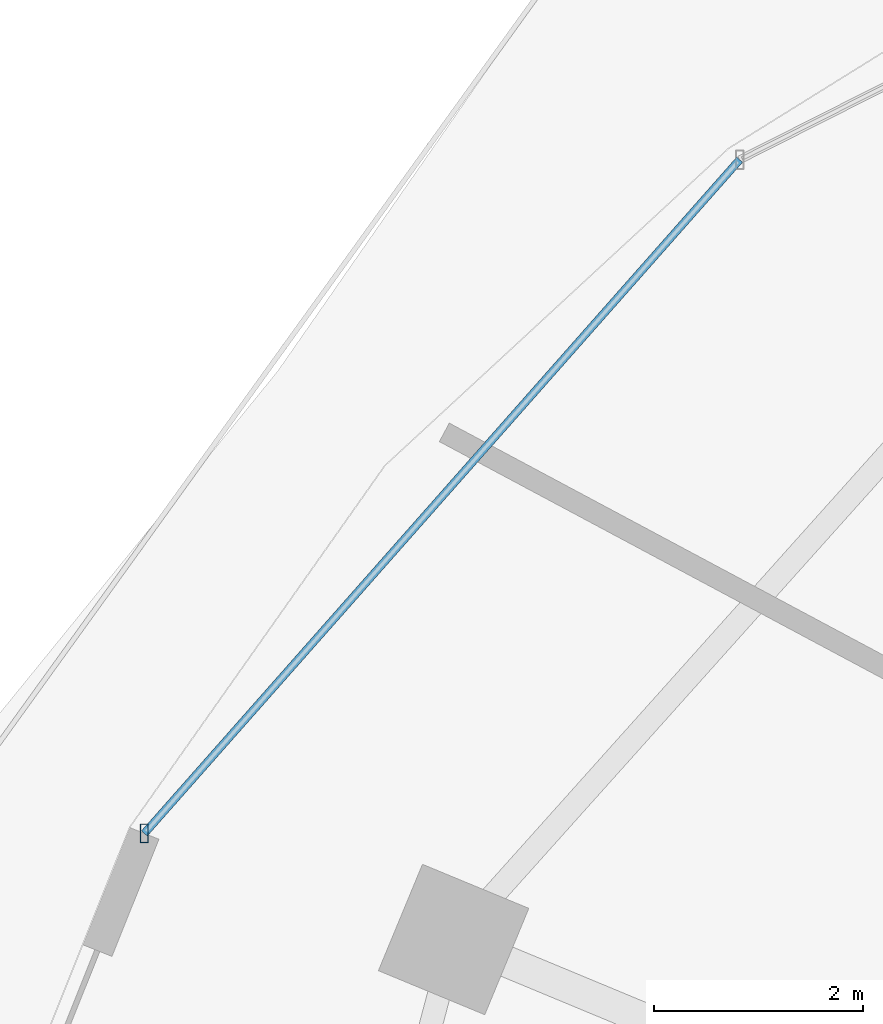
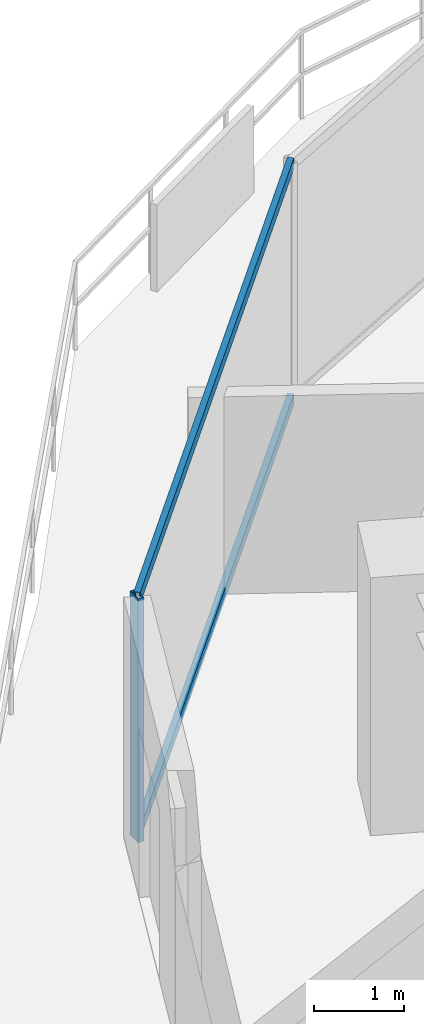
# One storey, part 8 of 29: 3 members, 1 element without a shape of its own.
"""IFC4 building model written with IfcOpenShell, lengths in metres."""

from ifc_helpers import new_model, si_unit, direction, frame, origin, origin_2d, place, context, subcontext, project, spatial, hollow_rectangle, extrude, material, material_profile, profile_set, type_object, element, aggregate, save


model = new_model("IFC4")

# Units and contexts
model_context = context("Model", 3, precision=1e-05, world=origin(), true_north=direction((0.0, 1.0)))
body_context = subcontext(model_context, "Body", "Model", "MODEL_VIEW")
ifc_project = project(units=[si_unit("LENGTHUNIT", "METRE"), si_unit("AREAUNIT", "SQUARE_METRE"), si_unit("VOLUMEUNIT", "CUBIC_METRE"), si_unit("PLANEANGLEUNIT", "RADIAN"), si_unit("MASSUNIT", "GRAM", prefix="KILO")], contexts=[model_context])

# Site, building, storey
site_placement = place(None, origin())
site = spatial("IfcSite", under=ifc_project, at=site_placement, CompositionType="ELEMENT")
building_placement = place(site_placement, origin())
building = spatial("IfcBuilding", under=site, at=building_placement, Name="Vorneva Point Tower", CompositionType="ELEMENT")
storey_placement = place(building_placement, frame((0.0, 0.0, 113.800048828125)))
storey = spatial("IfcBuildingStorey", under=building, at=storey_placement, Name="L30", CompositionType="ELEMENT", Elevation=113.800048828125)

# Curtain wall, members
ifc_material = material(Name="Pale anodised aluminium", Category="aluminium")
curtain_wall_type = type_object("IfcCurtainWallType", Name="CW-HTL-SYS", PredefinedType="NOTDEFINED", material=ifc_material)
curtain_wall_placement = place(storey_placement, origin())
curtain_wall = element("IfcCurtainWall", 1, at=curtain_wall_placement, inside=storey, type_object=curtain_wall_type, Name="L30 Unitised Curtain Wall CW-L30-R02", PredefinedType="NOTDEFINED")
ifc_material_profile_1 = material_profile(ifc_material, hollow_rectangle(XDim=0.074951171875, YDim=0.179931640625, WallThickness=0.00390625, at=origin_2d()), Name="AL-MUL 180x75x4")
ifc_profile_set_1 = profile_set([ifc_material_profile_1], Name="Pale anodised aluminium")
member_type_1 = type_object("IfcMemberType", Name="CW-MUL-180", PredefinedType="MULLION", material=ifc_profile_set_1)
member_1_placement = place(storey_placement, frame((13.748291015625, 33.59619140625, -0.0400390625), z_axis=(0.0, 0.0, 1.0), x_axis=(1.0, 0.0, 0.0)))
member_1 = element("IfcMember", 2, at=member_1_placement, type_object=member_type_1, Name="CW-L30-R02 Mullion 06", PredefinedType="MULLION", context=body_context, shape_type="SweptSolid", body=[
    extrude(hollow_rectangle(XDim=0.074951171875, YDim=0.179931640625, WallThickness=0.00390625, at=origin_2d()), origin(), (0.0, 0.0, 1.0), 3.31005859375),
])
ifc_material_profile_2 = material_profile(ifc_material, hollow_rectangle(XDim=0.074951171875, YDim=0.14990234375, WallThickness=0.00390625, at=origin_2d()), Name="AL-TRN 150x75x4")
ifc_profile_set_2 = profile_set([ifc_material_profile_2], Name="Pale anodised aluminium")
member_type_2 = type_object("IfcMemberType", Name="CW-TRN-150", PredefinedType="USERDEFINED", material=ifc_profile_set_2)
member_2_placement = place(storey_placement, frame((19.4384765625, 40.0361328125, 0.02001953125), z_axis=(-0.662137326257, -0.74938251993, 0.0), x_axis=(0.74938251993, -0.662137326257, 0.0)))
member_2 = element("IfcMember", 3, at=member_2_placement, type_object=member_type_2, Name="CW-L30-R02 Transom 05.1", ObjectType="TRANSOM", PredefinedType="USERDEFINED", context=body_context, shape_type="SweptSolid", body=[
    extrude(hollow_rectangle(XDim=0.074951171875, YDim=0.14990234375, WallThickness=0.00390625, at=origin_2d()), origin(), (0.0, 0.0, 1.0), 8.59375),
])
member_3_placement = place(storey_placement, frame((19.4384765625, 40.0361328125, 3.219970703125), z_axis=(-0.662137326257, -0.74938251993, 0.0), x_axis=(0.74938251993, -0.662137326257, 0.0)))
member_3 = element("IfcMember", 4, at=member_3_placement, type_object=member_type_2, Name="CW-L30-R02 Transom 05.2", ObjectType="TRANSOM", PredefinedType="USERDEFINED", context=body_context, shape_type="SweptSolid", body=[
    extrude(hollow_rectangle(XDim=0.074951171875, YDim=0.14990234375, WallThickness=0.00390625, at=origin_2d()), origin(), (0.0, 0.0, 1.0), 8.59375),
])
aggregate(curtain_wall, [member_1, member_2, member_3])

save(model, "model.ifc")
